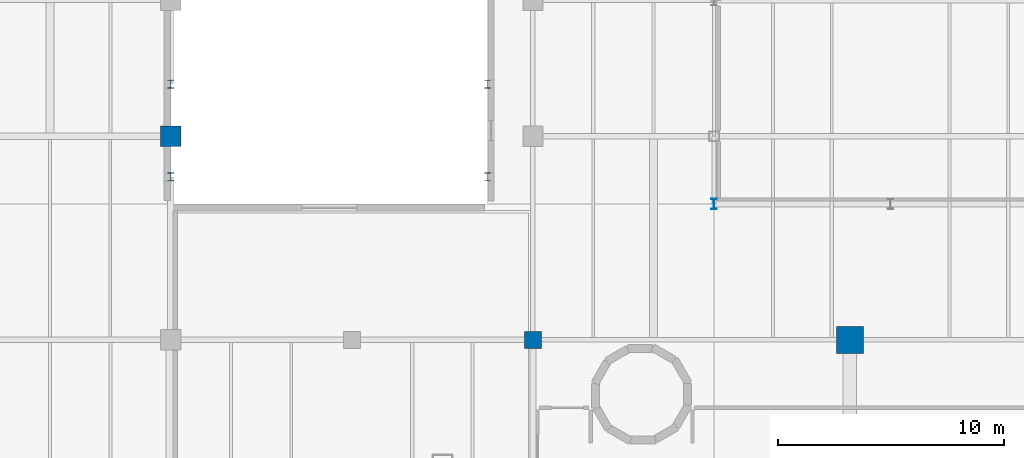
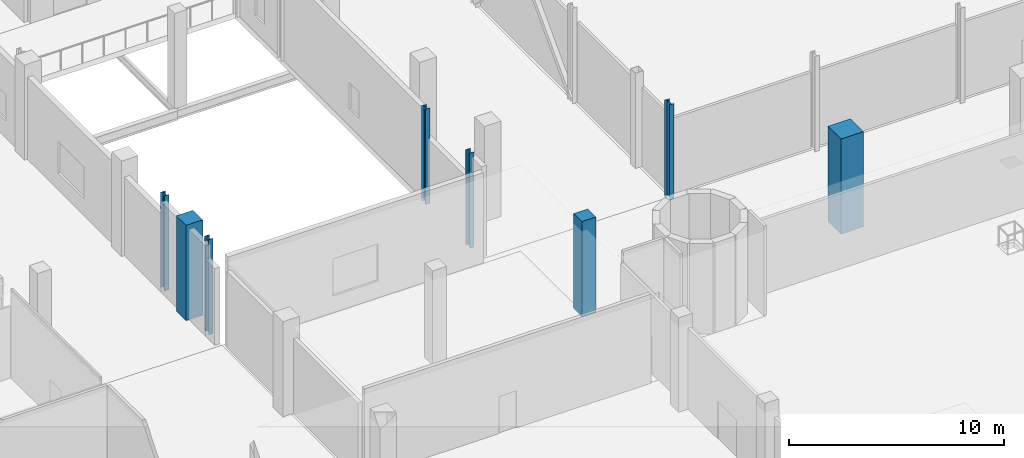
# One storey, part 3 of 57: 8 columns.
"""IFC4 building model written with IfcOpenShell, lengths in metres."""

from ifc_helpers import new_model, si_unit, derived_unit, direction, frame, origin, origin_2d, place, context, subcontext, project, spatial, rectangle, i_section, extrude, material, material_profile, profile_set, type_object, element, save


model = new_model("IFC4")

# Units and contexts
model_context = context("Model", 3, precision=1e-05, world=origin(), true_north=direction((0.0, 1.0)))
body_context = subcontext(model_context, "Body", "Model", "MODEL_VIEW")
ifc_project = project(units=[si_unit("LENGTHUNIT", "METRE"), si_unit("AREAUNIT", "SQUARE_METRE"), si_unit("VOLUMEUNIT", "CUBIC_METRE"), si_unit("PLANEANGLEUNIT", "RADIAN"), si_unit("MASSUNIT", "GRAM", prefix="KILO"), derived_unit("THERMALTRANSMITTANCEUNIT", [(si_unit("POWERUNIT", "WATT"), 1), (si_unit("LENGTHUNIT", "METRE"), -2), (si_unit("THERMODYNAMICTEMPERATUREUNIT", "KELVIN"), -1)])], contexts=[model_context])

# Site, building, storey
site_placement = place(None, origin())
site = spatial("IfcSite", under=ifc_project, at=site_placement, CompositionType="ELEMENT")
building_placement = place(site_placement, origin())
building = spatial("IfcBuilding", under=site, at=building_placement, Name="Nallur Shell Playhouse", CompositionType="ELEMENT")
storey_placement = place(building_placement, origin())
storey = spatial("IfcBuildingStorey", under=building, at=storey_placement, Name="L01", CompositionType="ELEMENT", Elevation=0.0)

# Columns
ifc_material_1 = material(Name="Concrete M45", Category="concrete")
ifc_material_profile_1 = material_profile(ifc_material_1, rectangle(XDim=1.199951171875, YDim=1.199951171875, at=origin_2d()), Name="RC 1200x1200")
ifc_profile_set_1 = profile_set([ifc_material_profile_1], Name="Concrete M45")
column_type_1 = type_object("IfcColumnType", Name="CL-RC-1200", PredefinedType="COLUMN", material=ifc_profile_set_1)
column_1_placement = place(storey_placement, frame((70.0, 41.0, 0.0), z_axis=(0.0, 0.0, 1.0), x_axis=(1.0, 0.0, 0.0)))
element("IfcColumn", 1, at=column_1_placement, inside=storey, type_object=column_type_1, Name="Column MC1N (L01)", PredefinedType="COLUMN", context=body_context, shape_type="SweptSolid", body=[
    extrude(rectangle(XDim=1.199951171875, YDim=1.199951171875, at=origin_2d()), origin(), (0.0, 0.0, 1.0), 5.39990234375),
])
ifc_material_2 = material(Name="Concrete M40", Category="concrete")
ifc_material_profile_2 = material_profile(ifc_material_2, rectangle(XDim=0.75, YDim=0.75, at=origin_2d()), Name="RC 750x750")
ifc_profile_set_2 = profile_set([ifc_material_profile_2], Name="Concrete M40")
column_type_2 = type_object("IfcColumnType", Name="CL-RC-750", PredefinedType="COLUMN", material=ifc_profile_set_2)
column_2_placement = place(storey_placement, frame((56.0, 41.0, 0.0), z_axis=(0.0, 0.0, 1.0), x_axis=(1.0, 0.0, 0.0)))
element("IfcColumn", 2, at=column_2_placement, inside=storey, type_object=column_type_2, Name="Column 7-E (L01)", PredefinedType="COLUMN", context=body_context, shape_type="SweptSolid", body=[
    extrude(rectangle(XDim=0.75, YDim=0.75, at=origin_2d()), origin(), (0.0, 0.0, 1.0), 5.39990234375),
])
ifc_material_profile_3 = material_profile(ifc_material_2, rectangle(XDim=0.89990234375, YDim=0.89990234375, at=origin_2d()), Name="RC 900x900")
ifc_profile_set_3 = profile_set([ifc_material_profile_3], Name="Concrete M40")
column_type_3 = type_object("IfcColumnType", Name="CL-RC-900", PredefinedType="COLUMN", material=ifc_profile_set_3)
column_3_placement = place(storey_placement, frame((40.0, 50.0, 0.0), z_axis=(0.0, 0.0, 1.0), x_axis=(1.0, 0.0, 0.0)))
element("IfcColumn", 3, at=column_3_placement, inside=storey, type_object=column_type_3, Name="Column 5-F (L01)", PredefinedType="COLUMN", context=body_context, shape_type="SweptSolid", body=[
    extrude(rectangle(XDim=0.89990234375, YDim=0.89990234375, at=origin_2d()), origin(), (0.0, 0.0, 1.0), 5.39990234375),
])
ifc_material_3 = material(Name="Steel E350", Category="steel")
ifc_material_profile_4 = material_profile(ifc_material_3, i_section(OverallWidth=0.25, OverallDepth=0.35009765625, WebThickness=0.010009765625, FlangeThickness=0.01171875, FilletRadius=0.011962890625, at=origin_2d()), Name="ISHB 350")
ifc_profile_set_4 = profile_set([ifc_material_profile_4], Name="Steel E350")
column_type_4 = type_object("IfcColumnType", Name="CL-ST-ISHB350", PredefinedType="COLUMN", material=ifc_profile_set_4)
for number, where, z_axis, x_axis, name in (
    (4, (40.0, 48.199951171875, 0.0), (0.0, 0.0, 1.0), (1.0, 0.0, 0.0), "Column BRCOL-1 (L01)"),
    (5, (54.0, 48.199951171875, 0.0), (0.0, 0.0, 1.0), (1.0, 0.0, 0.0), "Column BRCOL-2 (L01)"),
    (6, (40.0, 52.300048828125, 0.0), (0.0, 0.0, 1.0), (1.0, 0.0, 0.0), "Column BRCOL-3 (L01)"),
    (7, (54.0, 52.300048828125, 0.0), (0.0, 0.0, 1.0), (1.0, 0.0, 0.0), "Column BRCOL-4 (L01)"),
):
    element("IfcColumn", number, at=place(storey_placement, frame(where, z_axis=z_axis, x_axis=x_axis)), inside=storey, type_object=column_type_4, Name=name, PredefinedType="COLUMN", context=body_context, shape_type="SweptSolid", body=[
        extrude(i_section(OverallWidth=0.25, OverallDepth=0.35009765625, WebThickness=0.010009765625, FlangeThickness=0.01171875, FilletRadius=0.011962890625, at=origin_2d()), origin(), (0.0, 0.0, 1.0), 5.39990234375),
    ])
ifc_material_profile_5 = material_profile(ifc_material_3, i_section(OverallWidth=0.25, OverallDepth=0.449951171875, WebThickness=0.01123046875, FlangeThickness=0.013671875, FilletRadius=0.014892578125, at=origin_2d()), Name="ISHB 450")
ifc_profile_set_5 = profile_set([ifc_material_profile_5], Name="Steel E350")
column_type_5 = type_object("IfcColumnType", Name="CL-ST-ISHB450", PredefinedType="COLUMN", material=ifc_profile_set_5)
column_4_placement = place(storey_placement, frame((64.0, 47.0, 0.0), z_axis=(0.0, 0.0, 1.0), x_axis=(1.0, 0.0, 0.0)))
element("IfcColumn", 8, at=column_4_placement, inside=storey, type_object=column_type_5, Name="Column PROSC-1 (L01)", PredefinedType="COLUMN", context=body_context, shape_type="SweptSolid", body=[
    extrude(i_section(OverallWidth=0.25, OverallDepth=0.449951171875, WebThickness=0.01123046875, FlangeThickness=0.013671875, FilletRadius=0.014892578125, at=origin_2d()), origin(), (0.0, 0.0, 1.0), 5.39990234375),
])

save(model, "model.ifc")
